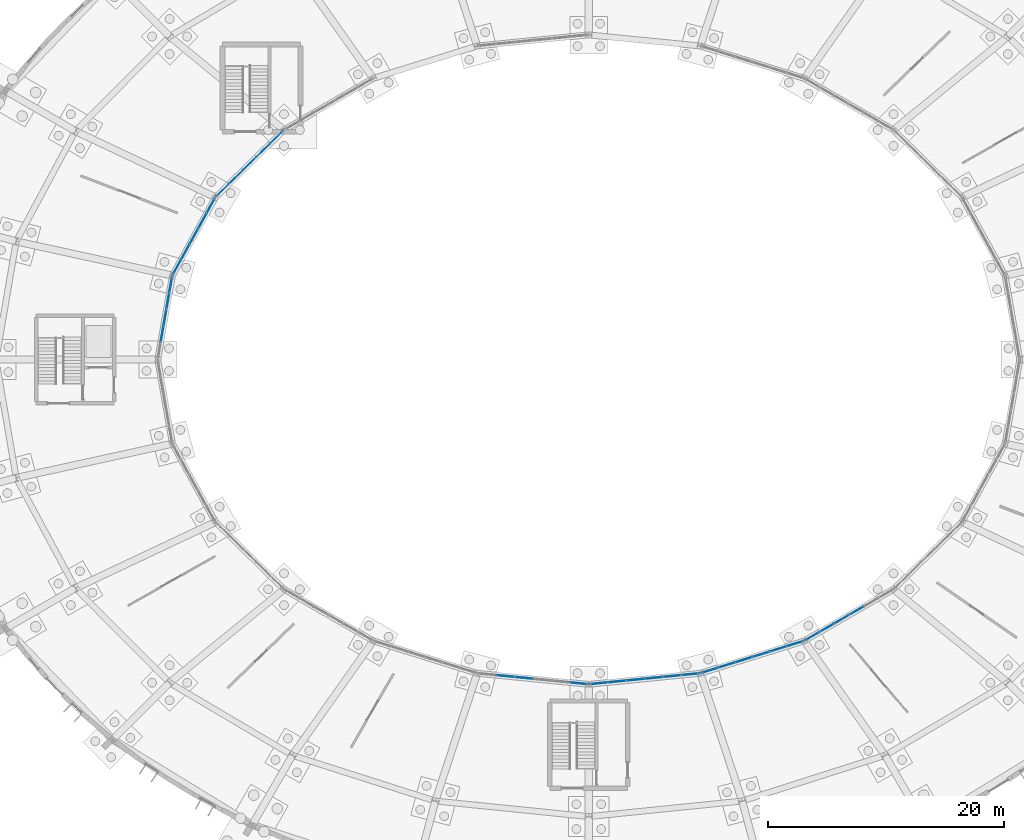
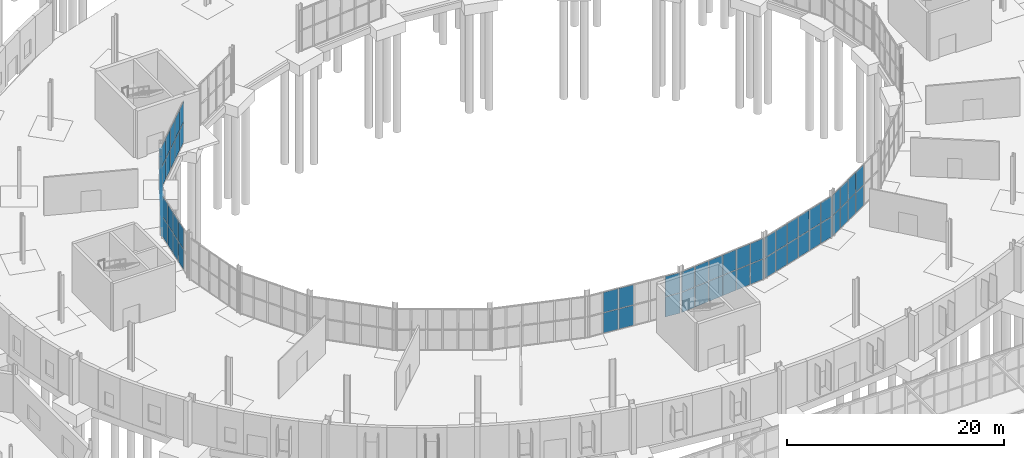
# One storey, part 73 of 118: 66 plates, 7 elements without a shape of their own.
"""IFC4 building model written with IfcOpenShell, lengths in metres."""

from ifc_helpers import new_model, si_unit, direction, frame, origin, origin_2d, place, context, subcontext, project, spatial, rectangle, extrude, material, layer, layer_set, type_object, element, aggregate, save


model = new_model("IFC4")

# Units and contexts
model_context = context("Model", 3, precision=1e-05, world=origin(), true_north=direction((0.0, 1.0)))
body_context = subcontext(model_context, "Body", "Model", "MODEL_VIEW")
ifc_project = project(units=[si_unit("LENGTHUNIT", "METRE"), si_unit("AREAUNIT", "SQUARE_METRE"), si_unit("VOLUMEUNIT", "CUBIC_METRE"), si_unit("PLANEANGLEUNIT", "RADIAN"), si_unit("MASSUNIT", "GRAM", prefix="KILO")], contexts=[model_context])

# Site, building, storey
site_placement = place(None, origin())
site = spatial("IfcSite", under=ifc_project, at=site_placement, CompositionType="ELEMENT")
building_placement = place(site_placement, origin())
building = spatial("IfcBuilding", under=site, at=building_placement, Name="Kildeholm Park Wholesale Market", CompositionType="ELEMENT")
storey_placement = place(building_placement, origin())
storey = spatial("IfcBuildingStorey", under=building, at=storey_placement, Name="L00", CompositionType="ELEMENT", Elevation=0.0)

# Curtain wall, plates
ifc_material_1 = material(Name="Anodised aluminium and low-E double-glazed glass", Category="aluminium")
curtain_wall_type = type_object("IfcCurtainWallType", Name="Market hall glazed arcade stick curtain wall CW-01", PredefinedType="NOTDEFINED", material=ifc_material_1)
curtain_wall_1_placement = place(storey_placement, origin())
curtain_wall_1 = element("IfcCurtainWall", 1, at=curtain_wall_1_placement, inside=storey, type_object=curtain_wall_type, Name="Curtain wall CW-V1-IN0-09 CW-0046", PredefinedType="NOTDEFINED")
ifc_material_2 = material(Name="Double-glazed low-E insulated glass", Category="glass")
ifc_layer = layer(ifc_material_2, 0.028076171875)
ifc_layer_set = layer_set([ifc_layer], Name="Double-glazed low-E insulated glass")
plate_type = type_object("IfcPlateType", Name="Curtain-wall panel CWP-1 28 mm", PredefinedType="CURTAIN_PANEL", material=ifc_layer_set)
plate_1_placement = place(storey_placement, frame((72.571044921875, 108.3447265625, 0.06494140625), z_axis=(0.0, 0.0, 1.0), x_axis=(-0.713537995789, -0.700616534607, 0.0)))
plate_1 = element("IfcPlate", 2, at=plate_1_placement, type_object=plate_type, Name="CW-01 panel 1.1 PLT-0794", PredefinedType="CURTAIN_PANEL", context=body_context, shape_type="SweptSolid", body=[
    extrude(rectangle(XDim=1.51220703125, YDim=0.028076171875, at=origin_2d()), origin(), (0.0, 0.0, 1.0), 2.25244140625),
])
plate_2_placement = place(storey_placement, frame((72.571044921875, 108.3447265625, 2.382568359375), z_axis=(0.0, 0.0, 1.0), x_axis=(-0.713537995789, -0.700616534607, 0.0)))
plate_2 = element("IfcPlate", 3, at=plate_2_placement, type_object=plate_type, Name="CW-01 panel 1.2 PLT-0795", PredefinedType="CURTAIN_PANEL", context=body_context, shape_type="SweptSolid", body=[
    extrude(rectangle(XDim=1.51220703125, YDim=0.028076171875, at=origin_2d()), origin(), (0.0, 0.0, 1.0), 2.25244140625),
])
plate_3_placement = place(storey_placement, frame((71.43408203125, 107.228271484375, 0.06494140625), z_axis=(0.0, 0.0, 1.0), x_axis=(-0.713537995789, -0.700616534607, 0.0)))
plate_3 = element("IfcPlate", 4, at=plate_3_placement, type_object=plate_type, Name="CW-01 panel 2.1 PLT-0796", PredefinedType="CURTAIN_PANEL", context=body_context, shape_type="SweptSolid", body=[
    extrude(rectangle(XDim=1.544677734375, YDim=0.028076171875, at=origin_2d()), origin(), (0.0, 0.0, 1.0), 2.25244140625),
])
plate_4_placement = place(storey_placement, frame((71.43408203125, 107.228271484375, 2.382568359375), z_axis=(0.0, 0.0, 1.0), x_axis=(-0.713537995789, -0.700616534607, 0.0)))
plate_4 = element("IfcPlate", 5, at=plate_4_placement, type_object=plate_type, Name="CW-01 panel 2.2 PLT-0797", PredefinedType="CURTAIN_PANEL", context=body_context, shape_type="SweptSolid", body=[
    extrude(rectangle(XDim=1.544677734375, YDim=0.028076171875, at=origin_2d()), origin(), (0.0, 0.0, 1.0), 2.25244140625),
])
plate_5_placement = place(storey_placement, frame((70.285400390625, 106.1005859375, 0.06494140625), z_axis=(0.0, 0.0, 1.0), x_axis=(-0.713537995789, -0.700616534607, 0.0)))
plate_5 = element("IfcPlate", 6, at=plate_5_placement, type_object=plate_type, Name="CW-01 panel 3.1 PLT-0798", PredefinedType="CURTAIN_PANEL", context=body_context, shape_type="SweptSolid", body=[
    extrude(rectangle(XDim=1.544677734375, YDim=0.028076171875, at=origin_2d()), origin(), (0.0, 0.0, 1.0), 2.25244140625),
])
plate_6_placement = place(storey_placement, frame((70.285400390625, 106.1005859375, 2.382568359375), z_axis=(0.0, 0.0, 1.0), x_axis=(-0.713537995789, -0.700616534607, 0.0)))
plate_6 = element("IfcPlate", 7, at=plate_6_placement, type_object=plate_type, Name="CW-01 panel 3.2 PLT-0799", PredefinedType="CURTAIN_PANEL", context=body_context, shape_type="SweptSolid", body=[
    extrude(rectangle(XDim=1.544677734375, YDim=0.028076171875, at=origin_2d()), origin(), (0.0, 0.0, 1.0), 2.25244140625),
])
plate_7_placement = place(storey_placement, frame((69.136962890625, 104.97265625, 0.06494140625), z_axis=(0.0, 0.0, 1.0), x_axis=(-0.713537995789, -0.700616534607, 0.0)))
plate_7 = element("IfcPlate", 8, at=plate_7_placement, type_object=plate_type, Name="CW-01 panel 4.1 PLT-0800", PredefinedType="CURTAIN_PANEL", context=body_context, shape_type="SweptSolid", body=[
    extrude(rectangle(XDim=1.544677734375, YDim=0.028076171875, at=origin_2d()), origin(), (0.0, 0.0, 1.0), 2.25244140625),
])
plate_8_placement = place(storey_placement, frame((69.136962890625, 104.97265625, 2.382568359375), z_axis=(0.0, 0.0, 1.0), x_axis=(-0.713537995789, -0.700616534607, 0.0)))
plate_8 = element("IfcPlate", 9, at=plate_8_placement, type_object=plate_type, Name="CW-01 panel 4.2 PLT-0801", PredefinedType="CURTAIN_PANEL", context=body_context, shape_type="SweptSolid", body=[
    extrude(rectangle(XDim=1.544677734375, YDim=0.028076171875, at=origin_2d()), origin(), (0.0, 0.0, 1.0), 2.25244140625),
])
plate_9_placement = place(storey_placement, frame((68.0, 103.856201171875, 0.06494140625), z_axis=(0.0, 0.0, 1.0), x_axis=(-0.713537995789, -0.700616534607, 0.0)))
plate_9 = element("IfcPlate", 10, at=plate_9_placement, type_object=plate_type, Name="CW-01 panel 5.1 PLT-0802", PredefinedType="CURTAIN_PANEL", context=body_context, shape_type="SweptSolid", body=[
    extrude(rectangle(XDim=1.51220703125, YDim=0.028076171875, at=origin_2d()), origin(), (0.0, 0.0, 1.0), 2.25244140625),
])
plate_10_placement = place(storey_placement, frame((68.0, 103.856201171875, 2.382568359375), z_axis=(0.0, 0.0, 1.0), x_axis=(-0.713537995789, -0.700616534607, 0.0)))
plate_10 = element("IfcPlate", 11, at=plate_10_placement, type_object=plate_type, Name="CW-01 panel 5.2 PLT-0803", PredefinedType="CURTAIN_PANEL", context=body_context, shape_type="SweptSolid", body=[
    extrude(rectangle(XDim=1.51220703125, YDim=0.028076171875, at=origin_2d()), origin(), (0.0, 0.0, 1.0), 2.25244140625),
])
aggregate(curtain_wall_1, [plate_1, plate_2, plate_3, plate_4, plate_5, plate_6, plate_7, plate_8, plate_9, plate_10])

curtain_wall_2_placement = place(storey_placement, origin())
curtain_wall_2 = element("IfcCurtainWall", 12, at=curtain_wall_2_placement, inside=storey, type_object=curtain_wall_type, Name="Curtain wall CW-V1-IN0-10 CW-0051", PredefinedType="NOTDEFINED")
plate_11_placement = place(storey_placement, frame((66.996337890625, 102.54638671875, 0.06494140625), z_axis=(0.0, 0.0, 1.0), x_axis=(-0.481749595055, -0.876308922506, 0.0)))
plate_11 = element("IfcPlate", 13, at=plate_11_placement, type_object=plate_type, Name="CW-01 panel 1.1 PLT-0854", PredefinedType="CURTAIN_PANEL", context=body_context, shape_type="SweptSolid", body=[
    extrude(rectangle(XDim=1.400390625, YDim=0.028076171875, at=origin_2d()), origin(), (0.0, 0.0, 1.0), 2.25244140625),
])
plate_12_placement = place(storey_placement, frame((66.996337890625, 102.54638671875, 2.382568359375), z_axis=(0.0, 0.0, 1.0), x_axis=(-0.481749595055, -0.876308922506, 0.0)))
plate_12 = element("IfcPlate", 14, at=plate_12_placement, type_object=plate_type, Name="CW-01 panel 1.2 PLT-0855", PredefinedType="CURTAIN_PANEL", context=body_context, shape_type="SweptSolid", body=[
    extrude(rectangle(XDim=1.400390625, YDim=0.028076171875, at=origin_2d()), origin(), (0.0, 0.0, 1.0), 2.25244140625),
])
plate_13_placement = place(storey_placement, frame((66.28271484375, 101.248046875, 0.06494140625), z_axis=(0.0, 0.0, 1.0), x_axis=(-0.481749595055, -0.876308922506, 0.0)))
plate_13 = element("IfcPlate", 15, at=plate_13_placement, type_object=plate_type, Name="CW-01 panel 2.1 PLT-0856", PredefinedType="CURTAIN_PANEL", context=body_context, shape_type="SweptSolid", body=[
    extrude(rectangle(XDim=1.432861328125, YDim=0.028076171875, at=origin_2d()), origin(), (0.0, 0.0, 1.0), 2.25244140625),
])
plate_14_placement = place(storey_placement, frame((66.28271484375, 101.248046875, 2.382568359375), z_axis=(0.0, 0.0, 1.0), x_axis=(-0.481749595055, -0.876308922506, 0.0)))
plate_14 = element("IfcPlate", 16, at=plate_14_placement, type_object=plate_type, Name="CW-01 panel 2.2 PLT-0857", PredefinedType="CURTAIN_PANEL", context=body_context, shape_type="SweptSolid", body=[
    extrude(rectangle(XDim=1.432861328125, YDim=0.028076171875, at=origin_2d()), origin(), (0.0, 0.0, 1.0), 2.25244140625),
])
plate_15_placement = place(storey_placement, frame((65.56103515625, 99.935546875, 0.06494140625), z_axis=(0.0, 0.0, 1.0), x_axis=(-0.481749595055, -0.876308922506, 0.0)))
plate_15 = element("IfcPlate", 17, at=plate_15_placement, type_object=plate_type, Name="CW-01 panel 3.1 PLT-0858", PredefinedType="CURTAIN_PANEL", context=body_context, shape_type="SweptSolid", body=[
    extrude(rectangle(XDim=1.432861328125, YDim=0.028076171875, at=origin_2d()), origin(), (0.0, 0.0, 1.0), 2.25244140625),
])
plate_16_placement = place(storey_placement, frame((65.56103515625, 99.935546875, 2.382568359375), z_axis=(0.0, 0.0, 1.0), x_axis=(-0.481749595055, -0.876308922506, 0.0)))
plate_16 = element("IfcPlate", 18, at=plate_16_placement, type_object=plate_type, Name="CW-01 panel 3.2 PLT-0859", PredefinedType="CURTAIN_PANEL", context=body_context, shape_type="SweptSolid", body=[
    extrude(rectangle(XDim=1.432861328125, YDim=0.028076171875, at=origin_2d()), origin(), (0.0, 0.0, 1.0), 2.25244140625),
])
plate_17_placement = place(storey_placement, frame((64.83935546875, 98.622802734375, 0.06494140625), z_axis=(0.0, 0.0, 1.0), x_axis=(-0.481749595055, -0.876308922506, 0.0)))
plate_17 = element("IfcPlate", 19, at=plate_17_placement, type_object=plate_type, Name="CW-01 panel 4.1 PLT-0860", PredefinedType="CURTAIN_PANEL", context=body_context, shape_type="SweptSolid", body=[
    extrude(rectangle(XDim=1.432861328125, YDim=0.028076171875, at=origin_2d()), origin(), (0.0, 0.0, 1.0), 2.25244140625),
])
plate_18_placement = place(storey_placement, frame((64.83935546875, 98.622802734375, 2.382568359375), z_axis=(0.0, 0.0, 1.0), x_axis=(-0.481749595055, -0.876308922506, 0.0)))
plate_18 = element("IfcPlate", 20, at=plate_18_placement, type_object=plate_type, Name="CW-01 panel 4.2 PLT-0861", PredefinedType="CURTAIN_PANEL", context=body_context, shape_type="SweptSolid", body=[
    extrude(rectangle(XDim=1.432861328125, YDim=0.028076171875, at=origin_2d()), origin(), (0.0, 0.0, 1.0), 2.25244140625),
])
plate_19_placement = place(storey_placement, frame((64.125732421875, 97.324462890625, 0.06494140625), z_axis=(0.0, 0.0, 1.0), x_axis=(-0.481749595055, -0.876308922506, 0.0)))
plate_19 = element("IfcPlate", 21, at=plate_19_placement, type_object=plate_type, Name="CW-01 panel 5.1 PLT-0862", PredefinedType="CURTAIN_PANEL", context=body_context, shape_type="SweptSolid", body=[
    extrude(rectangle(XDim=1.400390625, YDim=0.028076171875, at=origin_2d()), origin(), (0.0, 0.0, 1.0), 2.25244140625),
])
plate_20_placement = place(storey_placement, frame((64.125732421875, 97.324462890625, 2.382568359375), z_axis=(0.0, 0.0, 1.0), x_axis=(-0.481749595055, -0.876308922506, 0.0)))
plate_20 = element("IfcPlate", 22, at=plate_20_placement, type_object=plate_type, Name="CW-01 panel 5.2 PLT-0863", PredefinedType="CURTAIN_PANEL", context=body_context, shape_type="SweptSolid", body=[
    extrude(rectangle(XDim=1.400390625, YDim=0.028076171875, at=origin_2d()), origin(), (0.0, 0.0, 1.0), 2.25244140625),
])
aggregate(curtain_wall_2, [plate_11, plate_12, plate_13, plate_14, plate_15, plate_16, plate_17, plate_18, plate_19, plate_20])

curtain_wall_3_placement = place(storey_placement, origin())
curtain_wall_3 = element("IfcCurtainWall", 23, at=curtain_wall_3_placement, inside=storey, type_object=curtain_wall_type, Name="Curtain wall CW-V1-IN0-11 CW-0056", PredefinedType="NOTDEFINED")
plate_21_placement = place(storey_placement, frame((63.604248046875, 95.859130859375, 0.06494140625), z_axis=(0.0, 0.0, 1.0), x_axis=(-0.172132515628, -0.985073802851, 0.0)))
plate_21 = element("IfcPlate", 24, at=plate_21_placement, type_object=plate_type, Name="CW-01 panel 1.1 PLT-0914", PredefinedType="CURTAIN_PANEL", context=body_context, shape_type="SweptSolid", body=[
    extrude(rectangle(XDim=1.33154296875, YDim=0.028076171875, at=origin_2d()), origin(), (0.0, 0.0, 1.0), 2.25244140625),
])
plate_22_placement = place(storey_placement, frame((63.604248046875, 95.859130859375, 2.382568359375), z_axis=(0.0, 0.0, 1.0), x_axis=(-0.172132515628, -0.985073802851, 0.0)))
plate_22 = element("IfcPlate", 25, at=plate_22_placement, type_object=plate_type, Name="CW-01 panel 1.2 PLT-0915", PredefinedType="CURTAIN_PANEL", context=body_context, shape_type="SweptSolid", body=[
    extrude(rectangle(XDim=1.33154296875, YDim=0.028076171875, at=origin_2d()), origin(), (0.0, 0.0, 1.0), 2.25244140625),
])
plate_23_placement = place(storey_placement, frame((63.361083984375, 94.46728515625, 0.06494140625), z_axis=(0.0, 0.0, 1.0), x_axis=(-0.172132515628, -0.985073802851, 0.0)))
plate_23 = element("IfcPlate", 26, at=plate_23_placement, type_object=plate_type, Name="CW-01 panel 2.1 PLT-0916", PredefinedType="CURTAIN_PANEL", context=body_context, shape_type="SweptSolid", body=[
    extrude(rectangle(XDim=1.364013671875, YDim=0.028076171875, at=origin_2d()), origin(), (0.0, 0.0, 1.0), 2.25244140625),
])
plate_24_placement = place(storey_placement, frame((63.361083984375, 94.46728515625, 2.382568359375), z_axis=(0.0, 0.0, 1.0), x_axis=(-0.172132515628, -0.985073802851, 0.0)))
plate_24 = element("IfcPlate", 27, at=plate_24_placement, type_object=plate_type, Name="CW-01 panel 2.2 PLT-0917", PredefinedType="CURTAIN_PANEL", context=body_context, shape_type="SweptSolid", body=[
    extrude(rectangle(XDim=1.364013671875, YDim=0.028076171875, at=origin_2d()), origin(), (0.0, 0.0, 1.0), 2.25244140625),
])
plate_25_placement = place(storey_placement, frame((63.114990234375, 93.0595703125, 0.06494140625), z_axis=(0.0, 0.0, 1.0), x_axis=(-0.172132515628, -0.985073802851, 0.0)))
plate_25 = element("IfcPlate", 28, at=plate_25_placement, type_object=plate_type, Name="CW-01 panel 3.1 PLT-0918", PredefinedType="CURTAIN_PANEL", context=body_context, shape_type="SweptSolid", body=[
    extrude(rectangle(XDim=1.364013671875, YDim=0.028076171875, at=origin_2d()), origin(), (0.0, 0.0, 1.0), 2.25244140625),
])
plate_26_placement = place(storey_placement, frame((63.114990234375, 93.0595703125, 2.382568359375), z_axis=(0.0, 0.0, 1.0), x_axis=(-0.172132515628, -0.985073802851, 0.0)))
plate_26 = element("IfcPlate", 29, at=plate_26_placement, type_object=plate_type, Name="CW-01 panel 3.2 PLT-0919", PredefinedType="CURTAIN_PANEL", context=body_context, shape_type="SweptSolid", body=[
    extrude(rectangle(XDim=1.364013671875, YDim=0.028076171875, at=origin_2d()), origin(), (0.0, 0.0, 1.0), 2.25244140625),
])
plate_27_placement = place(storey_placement, frame((62.868896484375, 91.651611328125, 0.06494140625), z_axis=(0.0, 0.0, 1.0), x_axis=(-0.172132515628, -0.985073802851, 0.0)))
plate_27 = element("IfcPlate", 30, at=plate_27_placement, type_object=plate_type, Name="CW-01 panel 4.1 PLT-0920", PredefinedType="CURTAIN_PANEL", context=body_context, shape_type="SweptSolid", body=[
    extrude(rectangle(XDim=1.364013671875, YDim=0.028076171875, at=origin_2d()), origin(), (0.0, 0.0, 1.0), 2.25244140625),
])
plate_28_placement = place(storey_placement, frame((62.868896484375, 91.651611328125, 2.382568359375), z_axis=(0.0, 0.0, 1.0), x_axis=(-0.172132515628, -0.985073802851, 0.0)))
plate_28 = element("IfcPlate", 31, at=plate_28_placement, type_object=plate_type, Name="CW-01 panel 4.2 PLT-0921", PredefinedType="CURTAIN_PANEL", context=body_context, shape_type="SweptSolid", body=[
    extrude(rectangle(XDim=1.364013671875, YDim=0.028076171875, at=origin_2d()), origin(), (0.0, 0.0, 1.0), 2.25244140625),
])
aggregate(curtain_wall_3, [plate_21, plate_22, plate_23, plate_24, plate_25, plate_26, plate_27, plate_28])

curtain_wall_4_placement = place(storey_placement, origin())
curtain_wall_4 = element("IfcCurtainWall", 32, at=curtain_wall_4_placement, inside=storey, type_object=curtain_wall_type, Name="Curtain wall CW-V1-IN0-17 CW-0086", PredefinedType="NOTDEFINED")
plate_29_placement = place(storey_placement, frame((91.93408203125, 62.69677734375, 0.06494140625), z_axis=(0.0, 0.0, 1.0), x_axis=(0.995118887444, -0.098683331174, 0.0)))
plate_29 = element("IfcPlate", 33, at=plate_29_placement, type_object=plate_type, Name="CW-01 panel 2.1 PLT-1308", PredefinedType="CURTAIN_PANEL", context=body_context, shape_type="SweptSolid", body=[
    extrude(rectangle(XDim=1.50390625, YDim=0.028076171875, at=origin_2d()), origin(), (0.0, 0.0, 1.0), 2.25244140625),
])
plate_30_placement = place(storey_placement, frame((91.93408203125, 62.69677734375, 2.382568359375), z_axis=(0.0, 0.0, 1.0), x_axis=(0.995118887444, -0.098683331174, 0.0)))
plate_30 = element("IfcPlate", 34, at=plate_30_placement, type_object=plate_type, Name="CW-01 panel 2.2 PLT-1309", PredefinedType="CURTAIN_PANEL", context=body_context, shape_type="SweptSolid", body=[
    extrude(rectangle(XDim=1.50390625, YDim=0.028076171875, at=origin_2d()), origin(), (0.0, 0.0, 1.0), 2.25244140625),
])
plate_31_placement = place(storey_placement, frame((93.495361328125, 62.5419921875, 0.06494140625), z_axis=(0.0, 0.0, 1.0), x_axis=(0.995118887444, -0.098683331174, 0.0)))
plate_31 = element("IfcPlate", 35, at=plate_31_placement, type_object=plate_type, Name="CW-01 panel 3.1 PLT-1310", PredefinedType="CURTAIN_PANEL", context=body_context, shape_type="SweptSolid", body=[
    extrude(rectangle(XDim=1.50390625, YDim=0.028076171875, at=origin_2d()), origin(), (0.0, 0.0, 1.0), 2.25244140625),
])
plate_32_placement = place(storey_placement, frame((93.495361328125, 62.5419921875, 2.382568359375), z_axis=(0.0, 0.0, 1.0), x_axis=(0.995118887444, -0.098683331174, 0.0)))
plate_32 = element("IfcPlate", 36, at=plate_32_placement, type_object=plate_type, Name="CW-01 panel 3.2 PLT-1311", PredefinedType="CURTAIN_PANEL", context=body_context, shape_type="SweptSolid", body=[
    extrude(rectangle(XDim=1.50390625, YDim=0.028076171875, at=origin_2d()), origin(), (0.0, 0.0, 1.0), 2.25244140625),
])
plate_33_placement = place(storey_placement, frame((98.1630859375, 62.0791015625, 0.06494140625), z_axis=(0.0, 0.0, 1.0), x_axis=(0.995118887444, -0.098683331174, 0.0)))
plate_33 = element("IfcPlate", 37, at=plate_33_placement, type_object=plate_type, Name="CW-01 panel 6.1 PLT-1316", PredefinedType="CURTAIN_PANEL", context=body_context, shape_type="SweptSolid", body=[
    extrude(rectangle(XDim=1.471435546875, YDim=0.028076171875, at=origin_2d()), origin(), (0.0, 0.0, 1.0), 2.25244140625),
])
plate_34_placement = place(storey_placement, frame((98.1630859375, 62.0791015625, 2.382568359375), z_axis=(0.0, 0.0, 1.0), x_axis=(0.995118887444, -0.098683331174, 0.0)))
plate_34 = element("IfcPlate", 38, at=plate_34_placement, type_object=plate_type, Name="CW-01 panel 6.2 PLT-1317", PredefinedType="CURTAIN_PANEL", context=body_context, shape_type="SweptSolid", body=[
    extrude(rectangle(XDim=1.471435546875, YDim=0.028076171875, at=origin_2d()), origin(), (0.0, 0.0, 1.0), 2.25244140625),
])
aggregate(curtain_wall_4, [plate_29, plate_30, plate_31, plate_32, plate_33, plate_34])

curtain_wall_5_placement = place(storey_placement, origin())
curtain_wall_5 = element("IfcCurtainWall", 39, at=curtain_wall_5_placement, inside=storey, type_object=curtain_wall_type, Name="Curtain wall CW-V1-IN0-18 CW-0091", PredefinedType="NOTDEFINED")
plate_35_placement = place(storey_placement, frame((99.8369140625, 62.0791015625, 0.06494140625), z_axis=(0.0, 0.0, 1.0), x_axis=(0.995118887444, 0.098683331174, 0.0)))
plate_35 = element("IfcPlate", 40, at=plate_35_placement, type_object=plate_type, Name="CW-01 panel 1.1 PLT-1380", PredefinedType="CURTAIN_PANEL", context=body_context, shape_type="SweptSolid", body=[
    extrude(rectangle(XDim=1.471435546875, YDim=0.028076171875, at=origin_2d()), origin(), (0.0, 0.0, 1.0), 2.25244140625),
])
plate_36_placement = place(storey_placement, frame((99.8369140625, 62.0791015625, 2.382568359375), z_axis=(0.0, 0.0, 1.0), x_axis=(0.995118887444, 0.098683331174, 0.0)))
plate_36 = element("IfcPlate", 41, at=plate_36_placement, type_object=plate_type, Name="CW-01 panel 1.2 PLT-1381", PredefinedType="CURTAIN_PANEL", context=body_context, shape_type="SweptSolid", body=[
    extrude(rectangle(XDim=1.471435546875, YDim=0.028076171875, at=origin_2d()), origin(), (0.0, 0.0, 1.0), 2.25244140625),
])
plate_37_placement = place(storey_placement, frame((101.382080078125, 62.232177734375, 0.06494140625), z_axis=(0.0, 0.0, 1.0), x_axis=(0.995118887444, 0.098683331174, 0.0)))
plate_37 = element("IfcPlate", 42, at=plate_37_placement, type_object=plate_type, Name="CW-01 panel 2.1 PLT-1382", PredefinedType="CURTAIN_PANEL", context=body_context, shape_type="SweptSolid", body=[
    extrude(rectangle(XDim=1.50390625, YDim=0.028076171875, at=origin_2d()), origin(), (0.0, 0.0, 1.0), 2.25244140625),
])
plate_38_placement = place(storey_placement, frame((101.382080078125, 62.232177734375, 2.382568359375), z_axis=(0.0, 0.0, 1.0), x_axis=(0.995118887444, 0.098683331174, 0.0)))
plate_38 = element("IfcPlate", 43, at=plate_38_placement, type_object=plate_type, Name="CW-01 panel 2.2 PLT-1383", PredefinedType="CURTAIN_PANEL", context=body_context, shape_type="SweptSolid", body=[
    extrude(rectangle(XDim=1.50390625, YDim=0.028076171875, at=origin_2d()), origin(), (0.0, 0.0, 1.0), 2.25244140625),
])
plate_39_placement = place(storey_placement, frame((102.943359375, 62.386962890625, 0.06494140625), z_axis=(0.0, 0.0, 1.0), x_axis=(0.995118887444, 0.098683331174, 0.0)))
plate_39 = element("IfcPlate", 44, at=plate_39_placement, type_object=plate_type, Name="CW-01 panel 3.1 PLT-1384", PredefinedType="CURTAIN_PANEL", context=body_context, shape_type="SweptSolid", body=[
    extrude(rectangle(XDim=1.50390625, YDim=0.028076171875, at=origin_2d()), origin(), (0.0, 0.0, 1.0), 2.25244140625),
])
plate_40_placement = place(storey_placement, frame((102.943359375, 62.386962890625, 2.382568359375), z_axis=(0.0, 0.0, 1.0), x_axis=(0.995118887444, 0.098683331174, 0.0)))
plate_40 = element("IfcPlate", 45, at=plate_40_placement, type_object=plate_type, Name="CW-01 panel 3.2 PLT-1385", PredefinedType="CURTAIN_PANEL", context=body_context, shape_type="SweptSolid", body=[
    extrude(rectangle(XDim=1.50390625, YDim=0.028076171875, at=origin_2d()), origin(), (0.0, 0.0, 1.0), 2.25244140625),
])
plate_41_placement = place(storey_placement, frame((104.504638671875, 62.5419921875, 0.06494140625), z_axis=(0.0, 0.0, 1.0), x_axis=(0.995118887444, 0.098683331174, 0.0)))
plate_41 = element("IfcPlate", 46, at=plate_41_placement, type_object=plate_type, Name="CW-01 panel 4.1 PLT-1386", PredefinedType="CURTAIN_PANEL", context=body_context, shape_type="SweptSolid", body=[
    extrude(rectangle(XDim=1.50390625, YDim=0.028076171875, at=origin_2d()), origin(), (0.0, 0.0, 1.0), 2.25244140625),
])
plate_42_placement = place(storey_placement, frame((104.504638671875, 62.5419921875, 2.382568359375), z_axis=(0.0, 0.0, 1.0), x_axis=(0.995118887444, 0.098683331174, 0.0)))
plate_42 = element("IfcPlate", 47, at=plate_42_placement, type_object=plate_type, Name="CW-01 panel 4.2 PLT-1387", PredefinedType="CURTAIN_PANEL", context=body_context, shape_type="SweptSolid", body=[
    extrude(rectangle(XDim=1.50390625, YDim=0.028076171875, at=origin_2d()), origin(), (0.0, 0.0, 1.0), 2.25244140625),
])
plate_43_placement = place(storey_placement, frame((106.06591796875, 62.69677734375, 0.06494140625), z_axis=(0.0, 0.0, 1.0), x_axis=(0.995118887444, 0.098683331174, 0.0)))
plate_43 = element("IfcPlate", 48, at=plate_43_placement, type_object=plate_type, Name="CW-01 panel 5.1 PLT-1388", PredefinedType="CURTAIN_PANEL", context=body_context, shape_type="SweptSolid", body=[
    extrude(rectangle(XDim=1.50390625, YDim=0.028076171875, at=origin_2d()), origin(), (0.0, 0.0, 1.0), 2.25244140625),
])
plate_44_placement = place(storey_placement, frame((106.06591796875, 62.69677734375, 2.382568359375), z_axis=(0.0, 0.0, 1.0), x_axis=(0.995118887444, 0.098683331174, 0.0)))
plate_44 = element("IfcPlate", 49, at=plate_44_placement, type_object=plate_type, Name="CW-01 panel 5.2 PLT-1389", PredefinedType="CURTAIN_PANEL", context=body_context, shape_type="SweptSolid", body=[
    extrude(rectangle(XDim=1.50390625, YDim=0.028076171875, at=origin_2d()), origin(), (0.0, 0.0, 1.0), 2.25244140625),
])
plate_45_placement = place(storey_placement, frame((107.611083984375, 62.85009765625, 0.06494140625), z_axis=(0.0, 0.0, 1.0), x_axis=(0.995118887444, 0.098683331174, 0.0)))
plate_45 = element("IfcPlate", 50, at=plate_45_placement, type_object=plate_type, Name="CW-01 panel 6.1 PLT-1390", PredefinedType="CURTAIN_PANEL", context=body_context, shape_type="SweptSolid", body=[
    extrude(rectangle(XDim=1.471435546875, YDim=0.028076171875, at=origin_2d()), origin(), (0.0, 0.0, 1.0), 2.25244140625),
])
plate_46_placement = place(storey_placement, frame((107.611083984375, 62.85009765625, 2.382568359375), z_axis=(0.0, 0.0, 1.0), x_axis=(0.995118887444, 0.098683331174, 0.0)))
plate_46 = element("IfcPlate", 51, at=plate_46_placement, type_object=plate_type, Name="CW-01 panel 6.2 PLT-1391", PredefinedType="CURTAIN_PANEL", context=body_context, shape_type="SweptSolid", body=[
    extrude(rectangle(XDim=1.471435546875, YDim=0.028076171875, at=origin_2d()), origin(), (0.0, 0.0, 1.0), 2.25244140625),
])
aggregate(curtain_wall_5, [plate_35, plate_36, plate_37, plate_38, plate_39, plate_40, plate_41, plate_42, plate_43, plate_44, plate_45, plate_46])

curtain_wall_6_placement = place(storey_placement, origin())
curtain_wall_6 = element("IfcCurtainWall", 52, at=curtain_wall_6_placement, inside=storey, type_object=curtain_wall_type, Name="Curtain wall CW-V1-IN0-19 CW-0096", PredefinedType="NOTDEFINED")
plate_47_placement = place(storey_placement, frame((109.229736328125, 63.1767578125, 0.06494140625), z_axis=(0.0, 0.0, 1.0), x_axis=(0.954579186683, 0.297957339818, 0.0)))
plate_47 = element("IfcPlate", 53, at=plate_47_placement, type_object=plate_type, Name="CW-01 panel 1.1 PLT-1452", PredefinedType="CURTAIN_PANEL", context=body_context, shape_type="SweptSolid", body=[
    extrude(rectangle(XDim=1.42626953125, YDim=0.028076171875, at=origin_2d()), origin(), (0.0, 0.0, 1.0), 2.25244140625),
])
plate_48_placement = place(storey_placement, frame((109.229736328125, 63.1767578125, 2.382568359375), z_axis=(0.0, 0.0, 1.0), x_axis=(0.954579186683, 0.297957339818, 0.0)))
plate_48 = element("IfcPlate", 54, at=plate_48_placement, type_object=plate_type, Name="CW-01 panel 1.2 PLT-1453", PredefinedType="CURTAIN_PANEL", context=body_context, shape_type="SweptSolid", body=[
    extrude(rectangle(XDim=1.42626953125, YDim=0.028076171875, at=origin_2d()), origin(), (0.0, 0.0, 1.0), 2.25244140625),
])
plate_49_placement = place(storey_placement, frame((110.668701171875, 63.6259765625, 0.06494140625), z_axis=(0.0, 0.0, 1.0), x_axis=(0.954579186683, 0.297957339818, 0.0)))
plate_49 = element("IfcPlate", 55, at=plate_49_placement, type_object=plate_type, Name="CW-01 panel 2.1 PLT-1454", PredefinedType="CURTAIN_PANEL", context=body_context, shape_type="SweptSolid", body=[
    extrude(rectangle(XDim=1.458740234375, YDim=0.028076171875, at=origin_2d()), origin(), (0.0, 0.0, 1.0), 2.25244140625),
])
plate_50_placement = place(storey_placement, frame((110.668701171875, 63.6259765625, 2.382568359375), z_axis=(0.0, 0.0, 1.0), x_axis=(0.954579186683, 0.297957339818, 0.0)))
plate_50 = element("IfcPlate", 56, at=plate_50_placement, type_object=plate_type, Name="CW-01 panel 2.2 PLT-1455", PredefinedType="CURTAIN_PANEL", context=body_context, shape_type="SweptSolid", body=[
    extrude(rectangle(XDim=1.458740234375, YDim=0.028076171875, at=origin_2d()), origin(), (0.0, 0.0, 1.0), 2.25244140625),
])
plate_51_placement = place(storey_placement, frame((112.123291015625, 64.080078125, 0.06494140625), z_axis=(0.0, 0.0, 1.0), x_axis=(0.954579186683, 0.297957339818, 0.0)))
plate_51 = element("IfcPlate", 57, at=plate_51_placement, type_object=plate_type, Name="CW-01 panel 3.1 PLT-1456", PredefinedType="CURTAIN_PANEL", context=body_context, shape_type="SweptSolid", body=[
    extrude(rectangle(XDim=1.458740234375, YDim=0.028076171875, at=origin_2d()), origin(), (0.0, 0.0, 1.0), 2.25244140625),
])
plate_52_placement = place(storey_placement, frame((112.123291015625, 64.080078125, 2.382568359375), z_axis=(0.0, 0.0, 1.0), x_axis=(0.954579186683, 0.297957339818, 0.0)))
plate_52 = element("IfcPlate", 58, at=plate_52_placement, type_object=plate_type, Name="CW-01 panel 3.2 PLT-1457", PredefinedType="CURTAIN_PANEL", context=body_context, shape_type="SweptSolid", body=[
    extrude(rectangle(XDim=1.458740234375, YDim=0.028076171875, at=origin_2d()), origin(), (0.0, 0.0, 1.0), 2.25244140625),
])
plate_53_placement = place(storey_placement, frame((113.57763671875, 64.533935546875, 0.06494140625), z_axis=(0.0, 0.0, 1.0), x_axis=(0.954579186683, 0.297957339818, 0.0)))
plate_53 = element("IfcPlate", 59, at=plate_53_placement, type_object=plate_type, Name="CW-01 panel 4.1 PLT-1458", PredefinedType="CURTAIN_PANEL", context=body_context, shape_type="SweptSolid", body=[
    extrude(rectangle(XDim=1.458740234375, YDim=0.028076171875, at=origin_2d()), origin(), (0.0, 0.0, 1.0), 2.25244140625),
])
plate_54_placement = place(storey_placement, frame((113.57763671875, 64.533935546875, 2.382568359375), z_axis=(0.0, 0.0, 1.0), x_axis=(0.954579186683, 0.297957339818, 0.0)))
plate_54 = element("IfcPlate", 60, at=plate_54_placement, type_object=plate_type, Name="CW-01 panel 4.2 PLT-1459", PredefinedType="CURTAIN_PANEL", context=body_context, shape_type="SweptSolid", body=[
    extrude(rectangle(XDim=1.458740234375, YDim=0.028076171875, at=origin_2d()), origin(), (0.0, 0.0, 1.0), 2.25244140625),
])
plate_55_placement = place(storey_placement, frame((115.0322265625, 64.988037109375, 0.06494140625), z_axis=(0.0, 0.0, 1.0), x_axis=(0.954579186683, 0.297957339818, 0.0)))
plate_55 = element("IfcPlate", 61, at=plate_55_placement, type_object=plate_type, Name="CW-01 panel 5.1 PLT-1460", PredefinedType="CURTAIN_PANEL", context=body_context, shape_type="SweptSolid", body=[
    extrude(rectangle(XDim=1.458740234375, YDim=0.028076171875, at=origin_2d()), origin(), (0.0, 0.0, 1.0), 2.25244140625),
])
plate_56_placement = place(storey_placement, frame((115.0322265625, 64.988037109375, 2.382568359375), z_axis=(0.0, 0.0, 1.0), x_axis=(0.954579186683, 0.297957339818, 0.0)))
plate_56 = element("IfcPlate", 62, at=plate_56_placement, type_object=plate_type, Name="CW-01 panel 5.2 PLT-1461", PredefinedType="CURTAIN_PANEL", context=body_context, shape_type="SweptSolid", body=[
    extrude(rectangle(XDim=1.458740234375, YDim=0.028076171875, at=origin_2d()), origin(), (0.0, 0.0, 1.0), 2.25244140625),
])
plate_57_placement = place(storey_placement, frame((116.47119140625, 65.437255859375, 0.06494140625), z_axis=(0.0, 0.0, 1.0), x_axis=(0.954579186683, 0.297957339818, 0.0)))
plate_57 = element("IfcPlate", 63, at=plate_57_placement, type_object=plate_type, Name="CW-01 panel 6.1 PLT-1462", PredefinedType="CURTAIN_PANEL", context=body_context, shape_type="SweptSolid", body=[
    extrude(rectangle(XDim=1.42626953125, YDim=0.028076171875, at=origin_2d()), origin(), (0.0, 0.0, 1.0), 2.25244140625),
])
plate_58_placement = place(storey_placement, frame((116.47119140625, 65.437255859375, 2.382568359375), z_axis=(0.0, 0.0, 1.0), x_axis=(0.954579186683, 0.297957339818, 0.0)))
plate_58 = element("IfcPlate", 64, at=plate_58_placement, type_object=plate_type, Name="CW-01 panel 6.2 PLT-1463", PredefinedType="CURTAIN_PANEL", context=body_context, shape_type="SweptSolid", body=[
    extrude(rectangle(XDim=1.42626953125, YDim=0.028076171875, at=origin_2d()), origin(), (0.0, 0.0, 1.0), 2.25244140625),
])
aggregate(curtain_wall_6, [plate_47, plate_48, plate_49, plate_50, plate_51, plate_52, plate_53, plate_54, plate_55, plate_56, plate_57, plate_58])

curtain_wall_7_placement = place(storey_placement, origin())
curtain_wall_7 = element("IfcCurtainWall", 65, at=curtain_wall_7_placement, inside=storey, type_object=curtain_wall_type, Name="Curtain wall CW-V1-IN0-20 CW-0101", PredefinedType="NOTDEFINED")
plate_59_placement = place(storey_placement, frame((117.92626953125, 66.070068359375, 0.06494140625), z_axis=(0.0, 0.0, 1.0), x_axis=(0.865742656621, 0.500489412982, 0.0)))
plate_59 = element("IfcPlate", 66, at=plate_59_placement, type_object=plate_type, Name="CW-01 panel 1.1 PLT-1522", PredefinedType="CURTAIN_PANEL", context=body_context, shape_type="SweptSolid", body=[
    extrude(rectangle(XDim=1.344482421875, YDim=0.028076171875, at=origin_2d()), origin(), (0.0, 0.0, 1.0), 2.25244140625),
])
plate_60_placement = place(storey_placement, frame((117.92626953125, 66.070068359375, 2.382568359375), z_axis=(0.0, 0.0, 1.0), x_axis=(0.865742656621, 0.500489412982, 0.0)))
plate_60 = element("IfcPlate", 67, at=plate_60_placement, type_object=plate_type, Name="CW-01 panel 1.2 PLT-1523", PredefinedType="CURTAIN_PANEL", context=body_context, shape_type="SweptSolid", body=[
    extrude(rectangle(XDim=1.344482421875, YDim=0.028076171875, at=origin_2d()), origin(), (0.0, 0.0, 1.0), 2.25244140625),
])
plate_61_placement = place(storey_placement, frame((119.160400390625, 66.783447265625, 0.06494140625), z_axis=(0.0, 0.0, 1.0), x_axis=(0.865742656621, 0.500489412982, 0.0)))
plate_61 = element("IfcPlate", 68, at=plate_61_placement, type_object=plate_type, Name="CW-01 panel 2.1 PLT-1524", PredefinedType="CURTAIN_PANEL", context=body_context, shape_type="SweptSolid", body=[
    extrude(rectangle(XDim=1.376953125, YDim=0.028076171875, at=origin_2d()), origin(), (0.0, 0.0, 1.0), 2.25244140625),
])
plate_62_placement = place(storey_placement, frame((119.160400390625, 66.783447265625, 2.382568359375), z_axis=(0.0, 0.0, 1.0), x_axis=(0.865742656621, 0.500489412982, 0.0)))
plate_62 = element("IfcPlate", 69, at=plate_62_placement, type_object=plate_type, Name="CW-01 panel 2.2 PLT-1525", PredefinedType="CURTAIN_PANEL", context=body_context, shape_type="SweptSolid", body=[
    extrude(rectangle(XDim=1.376953125, YDim=0.028076171875, at=origin_2d()), origin(), (0.0, 0.0, 1.0), 2.25244140625),
])
plate_63_placement = place(storey_placement, frame((120.408935546875, 67.505126953125, 0.06494140625), z_axis=(0.0, 0.0, 1.0), x_axis=(0.865742656621, 0.500489412982, 0.0)))
plate_63 = element("IfcPlate", 70, at=plate_63_placement, type_object=plate_type, Name="CW-01 panel 3.1 PLT-1526", PredefinedType="CURTAIN_PANEL", context=body_context, shape_type="SweptSolid", body=[
    extrude(rectangle(XDim=1.376953125, YDim=0.028076171875, at=origin_2d()), origin(), (0.0, 0.0, 1.0), 2.25244140625),
])
plate_64_placement = place(storey_placement, frame((120.408935546875, 67.505126953125, 2.382568359375), z_axis=(0.0, 0.0, 1.0), x_axis=(0.865742656621, 0.500489412982, 0.0)))
plate_64 = element("IfcPlate", 71, at=plate_64_placement, type_object=plate_type, Name="CW-01 panel 3.2 PLT-1527", PredefinedType="CURTAIN_PANEL", context=body_context, shape_type="SweptSolid", body=[
    extrude(rectangle(XDim=1.376953125, YDim=0.028076171875, at=origin_2d()), origin(), (0.0, 0.0, 1.0), 2.25244140625),
])
plate_65_placement = place(storey_placement, frame((121.6572265625, 68.226806640625, 0.06494140625), z_axis=(0.0, 0.0, 1.0), x_axis=(0.865742656621, 0.500489412982, 0.0)))
plate_65 = element("IfcPlate", 72, at=plate_65_placement, type_object=plate_type, Name="CW-01 panel 4.1 PLT-1528", PredefinedType="CURTAIN_PANEL", context=body_context, shape_type="SweptSolid", body=[
    extrude(rectangle(XDim=1.376953125, YDim=0.028076171875, at=origin_2d()), origin(), (0.0, 0.0, 1.0), 2.25244140625),
])
plate_66_placement = place(storey_placement, frame((121.6572265625, 68.226806640625, 2.382568359375), z_axis=(0.0, 0.0, 1.0), x_axis=(0.865742656621, 0.500489412982, 0.0)))
plate_66 = element("IfcPlate", 73, at=plate_66_placement, type_object=plate_type, Name="CW-01 panel 4.2 PLT-1529", PredefinedType="CURTAIN_PANEL", context=body_context, shape_type="SweptSolid", body=[
    extrude(rectangle(XDim=1.376953125, YDim=0.028076171875, at=origin_2d()), origin(), (0.0, 0.0, 1.0), 2.25244140625),
])
aggregate(curtain_wall_7, [plate_59, plate_60, plate_61, plate_62, plate_63, plate_64, plate_65, plate_66])

save(model, "model.ifc")
